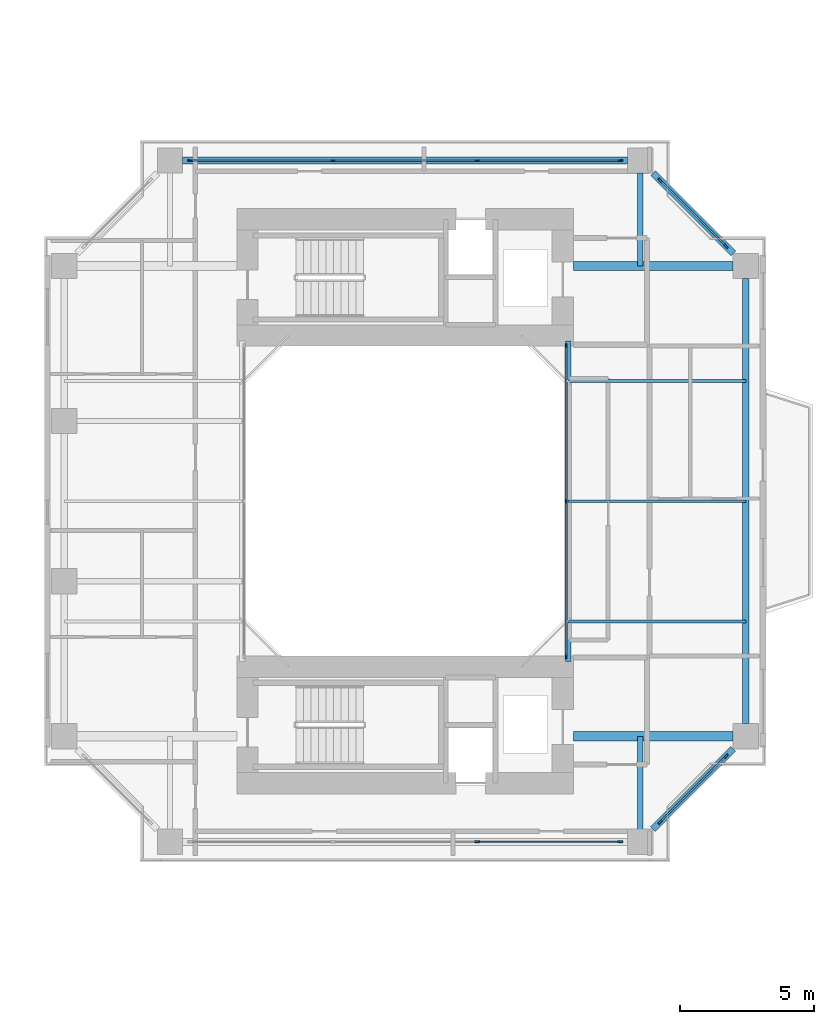
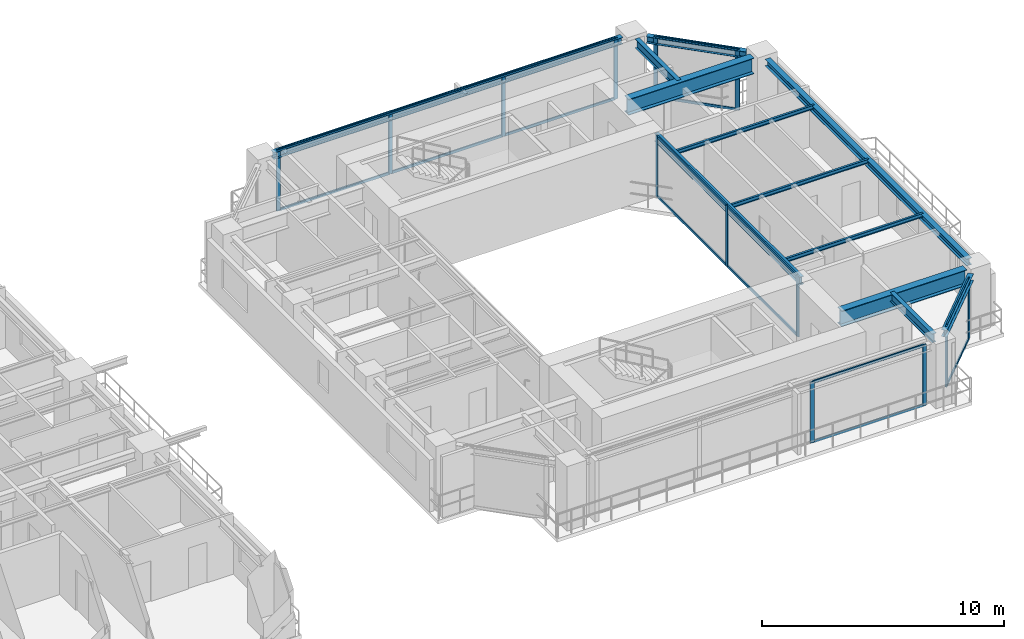
# One storey, part 9 of 22: 29 members, 12 beams, 5 elements without a shape of their own.
"""IFC4 building model written with IfcOpenShell, lengths in metres."""

from ifc_helpers import new_model, si_unit, direction, frame, origin, origin_2d, place, context, subcontext, project, spatial, rectangle, i_section, extrude, source, transform, mapped, material, layer, layer_set, material_profile, profile_set, type_object, element, aggregate, save


model = new_model("IFC4")

# Units and contexts
model_context = context("Model", 3, precision=1e-05, world=origin(), true_north=direction((0.0, 1.0)))
body_context = subcontext(model_context, "Body", "Model", "MODEL_VIEW")
ifc_project = project(units=[si_unit("LENGTHUNIT", "METRE"), si_unit("AREAUNIT", "SQUARE_METRE"), si_unit("VOLUMEUNIT", "CUBIC_METRE"), si_unit("PLANEANGLEUNIT", "RADIAN"), si_unit("MASSUNIT", "GRAM", prefix="KILO"), si_unit("THERMODYNAMICTEMPERATUREUNIT", "KELVIN"), si_unit("POWERUNIT", "WATT")], contexts=[model_context])

# Site, building, storey
site_placement = place(None, origin())
site = spatial("IfcSite", under=ifc_project, at=site_placement, CompositionType="ELEMENT")
building_placement = place(site_placement, origin())
building = spatial("IfcBuilding", under=site, at=building_placement, Name="Qiaomeng Ring Towers", CompositionType="ELEMENT")
storey_placement = place(building_placement, frame((0.0, 0.0, 53.5)))
storey = spatial("IfcBuildingStorey", under=building, at=storey_placement, Name="L14", CompositionType="ELEMENT", Elevation=53.5)

# Beams
ifc_material_1 = material(Name="Steel Q355B", Category="steel")
ifc_material_profile_1 = material_profile(ifc_material_1, i_section(OverallWidth=0.25, OverallDepth=0.340087890625, WebThickness=0.009033203125, FlangeThickness=0.013916015625, FilletRadius=0.02001953125, at=origin_2d()), Name="HM 340x250x9x14")
ifc_profile_set_1 = profile_set([ifc_material_profile_1], Name="Steel Q355B")
beam_type_1 = type_object("IfcBeamType", Name="STR-BM-HM340", PredefinedType="SPANDREL", material=ifc_profile_set_1)
shared_shape_1 = source(origin(), body_context, "Body", "SweptSolid", [
    extrude(i_section(OverallWidth=0.25, OverallDepth=0.340087890625, WebThickness=0.009033203125, FlangeThickness=0.013916015625, FilletRadius=0.02001953125, at=origin_2d()), origin(), (0.0, 0.0, 1.0), 16.65185546875),
])
for number, where, z_axis, x_axis, name in (
    (1, (73.25, 14.674072265625, 2.89990234375), (0.0, 1.0, 0.0), (-1.0, 0.0, 0.0), "L14 beam STR-SP-L14-T2-E1-E2"),
    (2, (68.825927734375, 35.75, 2.89990234375), (-1.0, 0.0, 0.0), (0.0, -1.0, 0.0), "L14 beam STR-SP-L14-T2-N2-N1"),
):
    element("IfcBeam", number, at=place(storey_placement, frame(where, z_axis=z_axis, x_axis=x_axis)), inside=storey, type_object=beam_type_1, Name=name, PredefinedType="SPANDREL", context=body_context, shape_type="MappedRepresentation", body=[
        mapped(shared_shape_1, transform((0.0, 0.0, 0.0), x_axis=(1.0, 0.0, 0.0), y_axis=(0.0, 1.0, 0.0), z_axis=(0.0, 0.0, 1.0), scale=1.0)),
    ])
shared_shape_2 = source(origin(), body_context, "Body", "SweptSolid", [
    extrude(i_section(OverallWidth=0.25, OverallDepth=0.340087890625, WebThickness=0.009033203125, FlangeThickness=0.013916015625, FilletRadius=0.02001953125, at=origin_2d()), origin(), (0.0, 0.0, 1.0), 4.244384765625),
])
for number, where, z_axis, x_axis, name in (
    (3, (69.7744140625, 10.724365234375, 2.89990234375), (0.707106781187, 0.707106781187, 0.0), (-0.707106781187, 0.707106781187, 0.0), "L14 beam STR-SP-L14-T2-S2-E1"),
    (4, (72.775634765625, 32.2744140625, 2.89990234375), (-0.707106781187, 0.707106781187, 0.0), (-0.707106781187, -0.707106781187, 0.0), "L14 beam STR-SP-L14-T2-E2-N2"),
):
    element("IfcBeam", number, at=place(storey_placement, frame(where, z_axis=z_axis, x_axis=x_axis)), inside=storey, type_object=beam_type_1, Name=name, PredefinedType="SPANDREL", context=body_context, shape_type="MappedRepresentation", body=[
        mapped(shared_shape_2, transform((0.0, 0.0, 0.0), x_axis=(1.0, 0.0, 0.0), y_axis=(0.0, 1.0, 0.0), z_axis=(0.0, 0.0, 1.0), scale=1.0)),
    ])
ifc_material_profile_2 = material_profile(ifc_material_1, i_section(OverallWidth=0.199951171875, OverallDepth=0.39990234375, WebThickness=0.008056640625, FlangeThickness=0.012939453125, FilletRadius=0.01611328125, at=origin_2d()), Name="HN 400x200x8x13")
ifc_profile_set_2 = profile_set([ifc_material_profile_2], Name="Steel Q355B")
beam_type_2 = type_object("IfcBeamType", Name="STR-BM-HN400", PredefinedType="SPANDREL", material=ifc_profile_set_2)
shared_shape_3 = source(origin(), body_context, "Body", "SweptSolid", [
    extrude(i_section(OverallWidth=0.199951171875, OverallDepth=0.39990234375, WebThickness=0.008056640625, FlangeThickness=0.012939453125, FilletRadius=0.01611328125, at=origin_2d()), origin(), (0.0, 0.0, 1.0), 12.0),
])
beam_placement = place(storey_placement, frame((66.60009765625, 17.0, 2.8701171875), z_axis=(0.0, 1.0, 0.0), x_axis=(-1.0, 0.0, 0.0)))
element("IfcBeam", 5, at=beam_placement, inside=storey, type_object=beam_type_2, Name="L14 beam STR-BM-L14-T2-WELL-E", PredefinedType="SPANDREL", context=body_context, shape_type="MappedRepresentation", body=[
    mapped(shared_shape_3, transform((0.0, 0.0, 0.0), x_axis=(1.0, 0.0, 0.0), y_axis=(0.0, 1.0, 0.0), z_axis=(0.0, 0.0, 1.0), scale=1.0)),
])
ifc_material_2 = material(Name="Steel Q390GJC", Category="steel")
ifc_material_profile_3 = material_profile(ifc_material_2, i_section(OverallWidth=0.35009765625, OverallDepth=0.800048828125, WebThickness=0.01611328125, FlangeThickness=0.028076171875, at=origin_2d()), Name="WH 800x350x16x28")
ifc_profile_set_3 = profile_set([ifc_material_profile_3], Name="Steel Q390GJC")
beam_type_3 = type_object("IfcBeamType", Name="STR-BM-WH800", PredefinedType="BEAM", material=ifc_profile_set_3)
shared_shape_4 = source(origin(), body_context, "Body", "SweptSolid", [
    extrude(i_section(OverallWidth=0.35009765625, OverallDepth=0.800048828125, WebThickness=0.01611328125, FlangeThickness=0.028076171875, at=origin_2d()), origin(), (0.0, 0.0, 1.0), 5.975830078125),
])
for number, where, z_axis, x_axis, name in (
    (6, (66.800048828125, 14.199951171875, 2.669921875), (1.0, 0.0, 0.0), (0.0, 1.0, 0.0), "L14 beam STR-BM-L14-T2-RAD-E1"),
    (7, (66.800048828125, 31.800048828125, 2.669921875), (1.0, 0.0, 0.0), (0.0, 1.0, 0.0), "L14 beam STR-BM-L14-T2-RAD-E2"),
):
    element("IfcBeam", number, at=place(storey_placement, frame(where, z_axis=z_axis, x_axis=x_axis)), inside=storey, type_object=beam_type_3, Name=name, PredefinedType="BEAM", context=body_context, shape_type="MappedRepresentation", body=[
        mapped(shared_shape_4, transform((0.0, 0.0, 0.0), x_axis=(1.0, 0.0, 0.0), y_axis=(0.0, 1.0, 0.0), z_axis=(0.0, 0.0, 1.0), scale=1.0)),
    ])
ifc_material_profile_4 = material_profile(ifc_material_1, i_section(OverallWidth=0.199951171875, OverallDepth=0.449951171875, WebThickness=0.009033203125, FlangeThickness=0.013916015625, FilletRadius=0.01806640625, at=origin_2d()), Name="HN 450x200x9x14")
ifc_profile_set_4 = profile_set([ifc_material_profile_4], Name="Steel Q355B")
beam_type_4 = type_object("IfcBeamType", Name="STR-BM-HN450", PredefinedType="SPANDREL", material=ifc_profile_set_4)
shared_shape_5 = source(origin(), body_context, "Body", "SweptSolid", [
    extrude(i_section(OverallWidth=0.199951171875, OverallDepth=0.449951171875, WebThickness=0.009033203125, FlangeThickness=0.013916015625, FilletRadius=0.01806640625, at=origin_2d()), origin(), (0.0, 0.0, 1.0), 3.475830078125),
])
for number, where, z_axis, x_axis, name in (
    (8, (69.300048828125, 35.27587890625, 2.844970703125), (0.0, -1.0, 0.0), (1.0, 0.0, 0.0), "L14 beam STR-BM-L14-T2-RAD-N2"),
    (9, (69.300048828125, 10.72412109375, 2.844970703125), (0.0, 1.0, 0.0), (-1.0, 0.0, 0.0), "L14 beam STR-BM-L14-T2-RAD-S2"),
):
    element("IfcBeam", number, at=place(storey_placement, frame(where, z_axis=z_axis, x_axis=x_axis)), inside=storey, type_object=beam_type_4, Name=name, PredefinedType="SPANDREL", context=body_context, shape_type="MappedRepresentation", body=[
        mapped(shared_shape_5, transform((0.0, 0.0, 0.0), x_axis=(1.0, 0.0, 0.0), y_axis=(0.0, 1.0, 0.0), z_axis=(0.0, 0.0, 1.0), scale=1.0)),
    ])
ifc_material_profile_5 = material_profile(ifc_material_1, i_section(OverallWidth=0.10009765625, OverallDepth=0.199951171875, WebThickness=0.005615234375, FlangeThickness=0.008056640625, FilletRadius=0.010986328125, at=origin_2d()), Name="HN 200x100x5.5x8")
ifc_profile_set_5 = profile_set([ifc_material_profile_5], Name="Steel Q355B")
beam_type_5 = type_object("IfcBeamType", Name="STR-BM-HN200", PredefinedType="JOIST", material=ifc_profile_set_5)
shared_shape_6 = source(origin(), body_context, "Body", "SweptSolid", [
    extrude(i_section(OverallWidth=0.10009765625, OverallDepth=0.199951171875, WebThickness=0.005615234375, FlangeThickness=0.008056640625, FilletRadius=0.010986328125, at=origin_2d()), origin(), (0.0, 0.0, 1.0), 6.64990234375),
])
for number, where, z_axis, x_axis, name in (
    (10, (66.60009765625, 18.5, 2.969970703125), (1.0, 0.0, 0.0), (0.0, 1.0, 0.0), "L14 beam STR-JST-L14-T2E-1"),
    (11, (66.60009765625, 23.0, 2.969970703125), (1.0, 0.0, 0.0), (0.0, 1.0, 0.0), "L14 beam STR-JST-L14-T2E-2"),
    (12, (66.60009765625, 27.5, 2.969970703125), (1.0, 0.0, 0.0), (0.0, 1.0, 0.0), "L14 beam STR-JST-L14-T2E-3"),
):
    element("IfcBeam", number, at=place(storey_placement, frame(where, z_axis=z_axis, x_axis=x_axis)), inside=storey, type_object=beam_type_5, Name=name, PredefinedType="JOIST", context=body_context, shape_type="MappedRepresentation", body=[
        mapped(shared_shape_6, transform((0.0, 0.0, 0.0), x_axis=(1.0, 0.0, 0.0), y_axis=(0.0, 1.0, 0.0), z_axis=(0.0, 0.0, 1.0), scale=1.0)),
    ])

# Curtain wall, members
ifc_material_3 = material(Name="Fluorocarbon dark-grey aluminium", Category="aluminium")
ifc_layer_1 = layer(ifc_material_3, 0.139892578125, Name="Fluorocarbon dark-grey aluminium")
ifc_layer_set_1 = layer_set([ifc_layer_1], Name="Fluorocarbon dark-grey aluminium")
curtain_wall_type_1 = type_object("IfcCurtainWallType", Name="ARC-CW-4", PredefinedType="NOTDEFINED", material=ifc_layer_set_1)
curtain_wall_1_placement = place(storey_placement, origin())
curtain_wall_1 = element("IfcCurtainWall", 13, at=curtain_wall_1_placement, inside=storey, type_object=curtain_wall_type_1, Name="L14 Curtain Wall CW4", PredefinedType="NOTDEFINED")
ifc_material_profile_6 = material_profile(ifc_material_3, rectangle(XDim=0.06494140625, YDim=0.159912109375, at=origin_2d()), Name="ALU MULL 65x160")
ifc_profile_set_6 = profile_set([ifc_material_profile_6], Name="Fluorocarbon dark-grey aluminium")
member_type_1 = type_object("IfcMemberType", Name="ARC-CWM-140", PredefinedType="MULLION", material=ifc_profile_set_6)
shared_shape_7 = source(origin(), body_context, "Body", "SweptSolid", [
    extrude(rectangle(XDim=0.06494140625, YDim=0.159912109375, at=origin_2d()), origin(), (0.0, 0.0, 1.0), 3.070068359375),
])
member_1_placement = place(storey_placement, frame((66.52001953125, 17.1826171875, 0.0), z_axis=(0.0, 0.0, 1.0), x_axis=(-1.0, 0.0, 0.0)))
member_1 = element("IfcMember", 14, at=member_1_placement, type_object=member_type_1, Name="CW4 mullion 1", PredefinedType="MULLION", context=body_context, shape_type="MappedRepresentation", body=[
    mapped(shared_shape_7, transform((0.0, 0.0, 0.0), x_axis=(1.0, 0.0, 0.0), y_axis=(0.0, 1.0, 0.0), z_axis=(0.0, 0.0, 1.0), scale=1.0)),
])
member_2_placement = place(storey_placement, frame((66.52001953125, 23.0, 0.0), z_axis=(0.0, 0.0, 1.0), x_axis=(-1.0, 0.0, 0.0)))
member_2 = element("IfcMember", 15, at=member_2_placement, type_object=member_type_1, Name="CW4 mullion 2", PredefinedType="MULLION", context=body_context, shape_type="MappedRepresentation", body=[
    mapped(shared_shape_7, transform((0.0, 0.0, 0.0), x_axis=(1.0, 0.0, 0.0), y_axis=(0.0, 1.0, 0.0), z_axis=(0.0, 0.0, 1.0), scale=1.0)),
])
member_3_placement = place(storey_placement, frame((66.52001953125, 28.8173828125, 0.0), z_axis=(0.0, 0.0, 1.0), x_axis=(-1.0, 0.0, 0.0)))
member_3 = element("IfcMember", 16, at=member_3_placement, type_object=member_type_1, Name="CW4 mullion 3", PredefinedType="MULLION", context=body_context, shape_type="MappedRepresentation", body=[
    mapped(shared_shape_7, transform((0.0, 0.0, 0.0), x_axis=(1.0, 0.0, 0.0), y_axis=(0.0, 1.0, 0.0), z_axis=(0.0, 0.0, 1.0), scale=1.0)),
])
ifc_material_profile_7 = material_profile(ifc_material_3, rectangle(XDim=0.06494140625, YDim=0.1298828125, at=origin_2d()), Name="ALU TRAN 65x130")
ifc_profile_set_7 = profile_set([ifc_material_profile_7], Name="Fluorocarbon dark-grey aluminium")
member_type_2 = type_object("IfcMemberType", Name="ARC-CWT-120", PredefinedType="USERDEFINED", material=ifc_profile_set_7)
shared_shape_8 = source(origin(), body_context, "Body", "SweptSolid", [
    extrude(rectangle(XDim=0.06494140625, YDim=0.1298828125, at=origin_2d()), origin(), (0.0, 0.0, 1.0), 5.75244140625),
])
member_4_placement = place(storey_placement, frame((66.52001953125, 17.215087890625, 0.032470703125), z_axis=(0.0, 1.0, 0.0), x_axis=(-1.0, 0.0, 0.0)))
member_4 = element("IfcMember", 17, at=member_4_placement, type_object=member_type_2, Name="CW4 transom 1.1", ObjectType="TRANSOM", PredefinedType="USERDEFINED", context=body_context, shape_type="MappedRepresentation", body=[
    mapped(shared_shape_8, transform((0.0, 0.0, 0.0), x_axis=(1.0, 0.0, 0.0), y_axis=(0.0, 1.0, 0.0), z_axis=(0.0, 0.0, 1.0), scale=1.0)),
])
member_5_placement = place(storey_placement, frame((66.52001953125, 17.215087890625, 3.03759765625), z_axis=(0.0, 1.0, 0.0), x_axis=(-1.0, 0.0, 0.0)))
member_5 = element("IfcMember", 18, at=member_5_placement, type_object=member_type_2, Name="CW4 transom 1.2", ObjectType="TRANSOM", PredefinedType="USERDEFINED", context=body_context, shape_type="MappedRepresentation", body=[
    mapped(shared_shape_8, transform((0.0, 0.0, 0.0), x_axis=(1.0, 0.0, 0.0), y_axis=(0.0, 1.0, 0.0), z_axis=(0.0, 0.0, 1.0), scale=1.0)),
])
member_6_placement = place(storey_placement, frame((66.52001953125, 23.032470703125, 0.032470703125), z_axis=(0.0, 1.0, 0.0), x_axis=(-1.0, 0.0, 0.0)))
member_6 = element("IfcMember", 19, at=member_6_placement, type_object=member_type_2, Name="CW4 transom 2.1", ObjectType="TRANSOM", PredefinedType="USERDEFINED", context=body_context, shape_type="MappedRepresentation", body=[
    mapped(shared_shape_8, transform((0.0, 0.0, 0.0), x_axis=(1.0, 0.0, 0.0), y_axis=(0.0, 1.0, 0.0), z_axis=(0.0, 0.0, 1.0), scale=1.0)),
])
member_7_placement = place(storey_placement, frame((66.52001953125, 23.032470703125, 3.03759765625), z_axis=(0.0, 1.0, 0.0), x_axis=(-1.0, 0.0, 0.0)))
member_7 = element("IfcMember", 20, at=member_7_placement, type_object=member_type_2, Name="CW4 transom 2.2", ObjectType="TRANSOM", PredefinedType="USERDEFINED", context=body_context, shape_type="MappedRepresentation", body=[
    mapped(shared_shape_8, transform((0.0, 0.0, 0.0), x_axis=(1.0, 0.0, 0.0), y_axis=(0.0, 1.0, 0.0), z_axis=(0.0, 0.0, 1.0), scale=1.0)),
])
aggregate(curtain_wall_1, [member_1, member_2, member_3, member_4, member_5, member_6, member_7])

ifc_layer_2 = layer(ifc_material_3, 0.14990234375, Name="Fluorocarbon dark-grey aluminium")
ifc_layer_set_2 = layer_set([ifc_layer_2], Name="Fluorocarbon dark-grey aluminium")
curtain_wall_type_2 = type_object("IfcCurtainWallType", Name="ARC-CW-5", PredefinedType="NOTDEFINED", material=ifc_layer_set_2)
curtain_wall_2_placement = place(storey_placement, origin())
curtain_wall_2 = element("IfcCurtainWall", 21, at=curtain_wall_2_placement, inside=storey, type_object=curtain_wall_type_2, Name="L14 Curtain Wall CW5", PredefinedType="NOTDEFINED")
ifc_material_profile_8 = material_profile(ifc_material_3, rectangle(XDim=0.070068359375, YDim=0.179931640625, at=origin_2d()), Name="ALU MULL 70x180")
ifc_profile_set_8 = profile_set([ifc_material_profile_8], Name="Fluorocarbon dark-grey aluminium")
member_type_3 = type_object("IfcMemberType", Name="ARC-CWM-160", PredefinedType="MULLION", material=ifc_profile_set_8)
shared_shape_9 = source(origin(), body_context, "Body", "SweptSolid", [
    extrude(rectangle(XDim=0.070068359375, YDim=0.179931640625, at=origin_2d()), origin(), (0.0, 0.0, 1.0), 3.070068359375),
])
member_8_placement = place(storey_placement, frame((52.449951171875, 35.75, 0.0), z_axis=(0.0, 0.0, 1.0), x_axis=(0.0, 1.0, 0.0)))
member_8 = element("IfcMember", 22, at=member_8_placement, type_object=member_type_3, Name="CW5 mullion 1", PredefinedType="MULLION", context=body_context, shape_type="MappedRepresentation", body=[
    mapped(shared_shape_9, transform((0.0, 0.0, 0.0), x_axis=(1.0, 0.0, 0.0), y_axis=(0.0, 1.0, 0.0), z_axis=(0.0, 0.0, 1.0), scale=1.0)),
])
member_9_placement = place(storey_placement, frame((57.804931640625, 35.75, 0.0), z_axis=(0.0, 0.0, 1.0), x_axis=(0.0, 1.0, 0.0)))
member_9 = element("IfcMember", 23, at=member_9_placement, type_object=member_type_3, Name="CW5 mullion 2", PredefinedType="MULLION", context=body_context, shape_type="MappedRepresentation", body=[
    mapped(shared_shape_9, transform((0.0, 0.0, 0.0), x_axis=(1.0, 0.0, 0.0), y_axis=(0.0, 1.0, 0.0), z_axis=(0.0, 0.0, 1.0), scale=1.0)),
])
member_10_placement = place(storey_placement, frame((63.195068359375, 35.75, 0.0), z_axis=(0.0, 0.0, 1.0), x_axis=(0.0, 1.0, 0.0)))
member_10 = element("IfcMember", 24, at=member_10_placement, type_object=member_type_3, Name="CW5 mullion 3", PredefinedType="MULLION", context=body_context, shape_type="MappedRepresentation", body=[
    mapped(shared_shape_9, transform((0.0, 0.0, 0.0), x_axis=(1.0, 0.0, 0.0), y_axis=(0.0, 1.0, 0.0), z_axis=(0.0, 0.0, 1.0), scale=1.0)),
])
member_11_placement = place(storey_placement, frame((68.550048828125, 35.75, 0.0), z_axis=(0.0, 0.0, 1.0), x_axis=(0.0, 1.0, 0.0)))
member_11 = element("IfcMember", 25, at=member_11_placement, type_object=member_type_3, Name="CW5 mullion 4", PredefinedType="MULLION", context=body_context, shape_type="MappedRepresentation", body=[
    mapped(shared_shape_9, transform((0.0, 0.0, 0.0), x_axis=(1.0, 0.0, 0.0), y_axis=(0.0, 1.0, 0.0), z_axis=(0.0, 0.0, 1.0), scale=1.0)),
])

curtain_wall_3_placement = place(storey_placement, origin())
curtain_wall_3 = element("IfcCurtainWall", 26, at=curtain_wall_3_placement, inside=storey, type_object=curtain_wall_type_2, Name="L14 Curtain Wall CW5", PredefinedType="NOTDEFINED")
member_12_placement = place(storey_placement, frame((70.039794921875, 10.98974609375, 0.0), z_axis=(0.0, 0.0, 1.0), x_axis=(-0.707106781187, 0.707106781187, 0.0)))
member_12 = element("IfcMember", 27, at=member_12_placement, type_object=member_type_3, Name="CW5 mullion 1", PredefinedType="MULLION", context=body_context, shape_type="MappedRepresentation", body=[
    mapped(shared_shape_9, transform((0.0, 0.0, 0.0), x_axis=(1.0, 0.0, 0.0), y_axis=(0.0, 1.0, 0.0), z_axis=(0.0, 0.0, 1.0), scale=1.0)),
])
member_13_placement = place(storey_placement, frame((72.51025390625, 13.460205078125, 0.0), z_axis=(0.0, 0.0, 1.0), x_axis=(-0.707106781187, 0.707106781187, 0.0)))
member_13 = element("IfcMember", 28, at=member_13_placement, type_object=member_type_3, Name="CW5 mullion 2", PredefinedType="MULLION", context=body_context, shape_type="MappedRepresentation", body=[
    mapped(shared_shape_9, transform((0.0, 0.0, 0.0), x_axis=(1.0, 0.0, 0.0), y_axis=(0.0, 1.0, 0.0), z_axis=(0.0, 0.0, 1.0), scale=1.0)),
])

curtain_wall_4_placement = place(storey_placement, origin())
curtain_wall_4 = element("IfcCurtainWall", 29, at=curtain_wall_4_placement, inside=storey, type_object=curtain_wall_type_2, Name="L14 Curtain Wall CW5", PredefinedType="NOTDEFINED")
member_14_placement = place(storey_placement, frame((72.51025390625, 32.539794921875, 0.0), z_axis=(0.0, 0.0, 1.0), x_axis=(-0.707106781187, -0.707106781187, 0.0)))
member_14 = element("IfcMember", 30, at=member_14_placement, type_object=member_type_3, Name="CW5 mullion 1", PredefinedType="MULLION", context=body_context, shape_type="MappedRepresentation", body=[
    mapped(shared_shape_9, transform((0.0, 0.0, 0.0), x_axis=(1.0, 0.0, 0.0), y_axis=(0.0, 1.0, 0.0), z_axis=(0.0, 0.0, 1.0), scale=1.0)),
])
member_15_placement = place(storey_placement, frame((70.039794921875, 35.01025390625, 0.0), z_axis=(0.0, 0.0, 1.0), x_axis=(-0.707106781187, -0.707106781187, 0.0)))
member_15 = element("IfcMember", 31, at=member_15_placement, type_object=member_type_3, Name="CW5 mullion 2", PredefinedType="MULLION", context=body_context, shape_type="MappedRepresentation", body=[
    mapped(shared_shape_9, transform((0.0, 0.0, 0.0), x_axis=(1.0, 0.0, 0.0), y_axis=(0.0, 1.0, 0.0), z_axis=(0.0, 0.0, 1.0), scale=1.0)),
])

curtain_wall_5_placement = place(storey_placement, origin())
curtain_wall_5 = element("IfcCurtainWall", 32, at=curtain_wall_5_placement, inside=storey, type_object=curtain_wall_type_2, Name="L14 Curtain Wall CW5", PredefinedType="NOTDEFINED")
member_16_placement = place(storey_placement, frame((63.195068359375, 10.25, 0.0), z_axis=(0.0, 0.0, 1.0), x_axis=(0.0, 1.0, 0.0)))
member_16 = element("IfcMember", 33, at=member_16_placement, type_object=member_type_3, Name="CW5 mullion 3", PredefinedType="MULLION", context=body_context, shape_type="MappedRepresentation", body=[
    mapped(shared_shape_9, transform((0.0, 0.0, 0.0), x_axis=(1.0, 0.0, 0.0), y_axis=(0.0, 1.0, 0.0), z_axis=(0.0, 0.0, 1.0), scale=1.0)),
])
member_17_placement = place(storey_placement, frame((68.550048828125, 10.25, 0.0), z_axis=(0.0, 0.0, 1.0), x_axis=(0.0, 1.0, 0.0)))
member_17 = element("IfcMember", 34, at=member_17_placement, type_object=member_type_3, Name="CW5 mullion 4", PredefinedType="MULLION", context=body_context, shape_type="MappedRepresentation", body=[
    mapped(shared_shape_9, transform((0.0, 0.0, 0.0), x_axis=(1.0, 0.0, 0.0), y_axis=(0.0, 1.0, 0.0), z_axis=(0.0, 0.0, 1.0), scale=1.0)),
])

# Member
shared_shape_10 = source(origin(), body_context, "Body", "SweptSolid", [
    extrude(rectangle(XDim=0.06494140625, YDim=0.1298828125, at=origin_2d()), origin(), (0.0, 0.0, 1.0), 5.284912109375),
])
member_18_placement = place(storey_placement, frame((52.485107421875, 35.75, 0.032470703125), z_axis=(1.0, 0.0, 0.0), x_axis=(0.0, 1.0, 0.0)))
member_18 = element("IfcMember", 35, at=member_18_placement, type_object=member_type_2, Name="CW5 transom 1.1", ObjectType="TRANSOM", PredefinedType="USERDEFINED", context=body_context, shape_type="MappedRepresentation", body=[
    mapped(shared_shape_10, transform((0.0, 0.0, 0.0), x_axis=(1.0, 0.0, 0.0), y_axis=(0.0, 1.0, 0.0), z_axis=(0.0, 0.0, 1.0), scale=1.0)),
])

member_19_placement = place(storey_placement, frame((52.485107421875, 35.75, 3.03759765625), z_axis=(1.0, 0.0, 0.0), x_axis=(0.0, 1.0, 0.0)))
member_19 = element("IfcMember", 36, at=member_19_placement, type_object=member_type_2, Name="CW5 transom 1.2", ObjectType="TRANSOM", PredefinedType="USERDEFINED", context=body_context, shape_type="MappedRepresentation", body=[
    mapped(shared_shape_10, transform((0.0, 0.0, 0.0), x_axis=(1.0, 0.0, 0.0), y_axis=(0.0, 1.0, 0.0), z_axis=(0.0, 0.0, 1.0), scale=1.0)),
])

member_20_placement = place(storey_placement, frame((63.22998046875, 35.75, 0.032470703125), z_axis=(1.0, 0.0, 0.0), x_axis=(0.0, 1.0, 0.0)))
member_20 = element("IfcMember", 37, at=member_20_placement, type_object=member_type_2, Name="CW5 transom 3.1", ObjectType="TRANSOM", PredefinedType="USERDEFINED", context=body_context, shape_type="MappedRepresentation", body=[
    mapped(shared_shape_10, transform((0.0, 0.0, 0.0), x_axis=(1.0, 0.0, 0.0), y_axis=(0.0, 1.0, 0.0), z_axis=(0.0, 0.0, 1.0), scale=1.0)),
])

member_21_placement = place(storey_placement, frame((63.22998046875, 35.75, 3.03759765625), z_axis=(1.0, 0.0, 0.0), x_axis=(0.0, 1.0, 0.0)))
member_21 = element("IfcMember", 38, at=member_21_placement, type_object=member_type_2, Name="CW5 transom 3.2", ObjectType="TRANSOM", PredefinedType="USERDEFINED", context=body_context, shape_type="MappedRepresentation", body=[
    mapped(shared_shape_10, transform((0.0, 0.0, 0.0), x_axis=(1.0, 0.0, 0.0), y_axis=(0.0, 1.0, 0.0), z_axis=(0.0, 0.0, 1.0), scale=1.0)),
])

member_22_placement = place(storey_placement, frame((63.22998046875, 10.25, 0.032470703125), z_axis=(1.0, 0.0, 0.0), x_axis=(0.0, 1.0, 0.0)))
member_22 = element("IfcMember", 39, at=member_22_placement, type_object=member_type_2, Name="CW5 transom 3.1", ObjectType="TRANSOM", PredefinedType="USERDEFINED", context=body_context, shape_type="MappedRepresentation", body=[
    mapped(shared_shape_10, transform((0.0, 0.0, 0.0), x_axis=(1.0, 0.0, 0.0), y_axis=(0.0, 1.0, 0.0), z_axis=(0.0, 0.0, 1.0), scale=1.0)),
])

member_23_placement = place(storey_placement, frame((63.22998046875, 10.25, 3.03759765625), z_axis=(1.0, 0.0, 0.0), x_axis=(0.0, 1.0, 0.0)))
member_23 = element("IfcMember", 40, at=member_23_placement, type_object=member_type_2, Name="CW5 transom 3.2", ObjectType="TRANSOM", PredefinedType="USERDEFINED", context=body_context, shape_type="MappedRepresentation", body=[
    mapped(shared_shape_10, transform((0.0, 0.0, 0.0), x_axis=(1.0, 0.0, 0.0), y_axis=(0.0, 1.0, 0.0), z_axis=(0.0, 0.0, 1.0), scale=1.0)),
])

aggregate(curtain_wall_5, [member_16, member_17, member_22, member_23])

shared_shape_11 = source(origin(), body_context, "Body", "SweptSolid", [
    extrude(rectangle(XDim=0.06494140625, YDim=0.1298828125, at=origin_2d()), origin(), (0.0, 0.0, 1.0), 5.31982421875),
])
member_24_placement = place(storey_placement, frame((57.840087890625, 35.75, 0.032470703125), z_axis=(1.0, 0.0, 0.0), x_axis=(0.0, 1.0, 0.0)))
member_24 = element("IfcMember", 41, at=member_24_placement, type_object=member_type_2, Name="CW5 transom 2.1", ObjectType="TRANSOM", PredefinedType="USERDEFINED", context=body_context, shape_type="MappedRepresentation", body=[
    mapped(shared_shape_11, transform((0.0, 0.0, 0.0), x_axis=(1.0, 0.0, 0.0), y_axis=(0.0, 1.0, 0.0), z_axis=(0.0, 0.0, 1.0), scale=1.0)),
])

member_25_placement = place(storey_placement, frame((57.840087890625, 35.75, 3.03759765625), z_axis=(1.0, 0.0, 0.0), x_axis=(0.0, 1.0, 0.0)))
member_25 = element("IfcMember", 42, at=member_25_placement, type_object=member_type_2, Name="CW5 transom 2.2", ObjectType="TRANSOM", PredefinedType="USERDEFINED", context=body_context, shape_type="MappedRepresentation", body=[
    mapped(shared_shape_11, transform((0.0, 0.0, 0.0), x_axis=(1.0, 0.0, 0.0), y_axis=(0.0, 1.0, 0.0), z_axis=(0.0, 0.0, 1.0), scale=1.0)),
])

aggregate(curtain_wall_2, [member_8, member_9, member_10, member_11, member_18, member_19, member_24, member_25, member_20, member_21])

shared_shape_12 = source(origin(), body_context, "Body", "SweptSolid", [
    extrude(rectangle(XDim=0.06494140625, YDim=0.1298828125, at=origin_2d()), origin(), (0.0, 0.0, 1.0), 3.424072265625),
])
member_26_placement = place(storey_placement, frame((70.064453125, 11.014404296875, 0.032470703125), z_axis=(0.707106781187, 0.707106781187, 0.0), x_axis=(-0.707106781187, 0.707106781187, 0.0)))
member_26 = element("IfcMember", 43, at=member_26_placement, type_object=member_type_2, Name="CW5 transom 1.1", ObjectType="TRANSOM", PredefinedType="USERDEFINED", context=body_context, shape_type="MappedRepresentation", body=[
    mapped(shared_shape_12, transform((0.0, 0.0, 0.0), x_axis=(1.0, 0.0, 0.0), y_axis=(0.0, 1.0, 0.0), z_axis=(0.0, 0.0, 1.0), scale=1.0)),
])

member_27_placement = place(storey_placement, frame((70.064453125, 11.014404296875, 3.03759765625), z_axis=(0.707106781187, 0.707106781187, 0.0), x_axis=(-0.707106781187, 0.707106781187, 0.0)))
member_27 = element("IfcMember", 44, at=member_27_placement, type_object=member_type_2, Name="CW5 transom 1.2", ObjectType="TRANSOM", PredefinedType="USERDEFINED", context=body_context, shape_type="MappedRepresentation", body=[
    mapped(shared_shape_12, transform((0.0, 0.0, 0.0), x_axis=(1.0, 0.0, 0.0), y_axis=(0.0, 1.0, 0.0), z_axis=(0.0, 0.0, 1.0), scale=1.0)),
])

aggregate(curtain_wall_3, [member_12, member_13, member_26, member_27])

member_28_placement = place(storey_placement, frame((72.485595703125, 32.564453125, 0.032470703125), z_axis=(-0.707106781187, 0.707106781187, 0.0), x_axis=(-0.707106781187, -0.707106781187, 0.0)))
member_28 = element("IfcMember", 45, at=member_28_placement, type_object=member_type_2, Name="CW5 transom 1.1", ObjectType="TRANSOM", PredefinedType="USERDEFINED", context=body_context, shape_type="MappedRepresentation", body=[
    mapped(shared_shape_12, transform((0.0, 0.0, 0.0), x_axis=(1.0, 0.0, 0.0), y_axis=(0.0, 1.0, 0.0), z_axis=(0.0, 0.0, 1.0), scale=1.0)),
])

member_29_placement = place(storey_placement, frame((72.485595703125, 32.564453125, 3.03759765625), z_axis=(-0.707106781187, 0.707106781187, 0.0), x_axis=(-0.707106781187, -0.707106781187, 0.0)))
member_29 = element("IfcMember", 46, at=member_29_placement, type_object=member_type_2, Name="CW5 transom 1.2", ObjectType="TRANSOM", PredefinedType="USERDEFINED", context=body_context, shape_type="MappedRepresentation", body=[
    mapped(shared_shape_12, transform((0.0, 0.0, 0.0), x_axis=(1.0, 0.0, 0.0), y_axis=(0.0, 1.0, 0.0), z_axis=(0.0, 0.0, 1.0), scale=1.0)),
])

aggregate(curtain_wall_4, [member_14, member_15, member_28, member_29])

save(model, "model.ifc")
